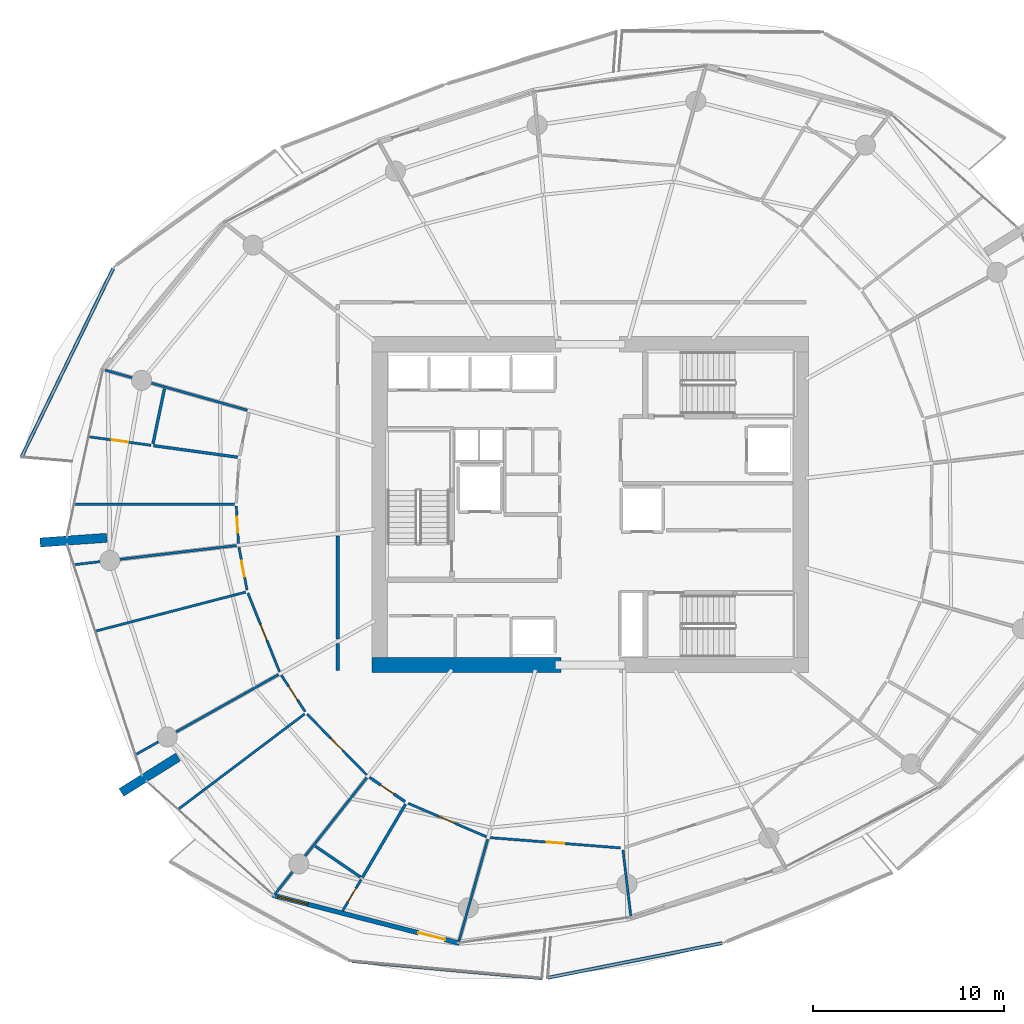
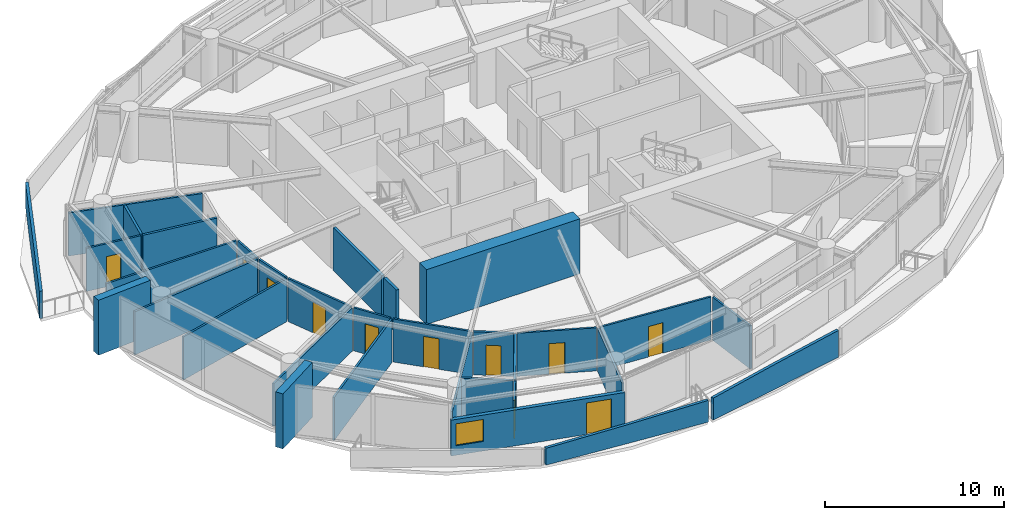
# One storey, part 11 of 20: 32 walls, 11 doors, 1 window, 12 openings.
"""IFC4 building model written with IfcOpenShell, lengths in metres."""

import ifcopenshell
import ifcopenshell.guid

model = None  # the IFC model being written
_history = None  # IfcOwnerHistory: only IFC2X3 demands one
_inside = {}  # id of a spatial element -> (the spatial element, [elements in it])
_under = {}  # id of a project, library or spatial element -> (it, [spatial elements below it])
_declared = {}  # id of a project -> (the project, [libraries it declares])
_typed = {}  # id of a type object -> (the type object, [elements of that type])
_made_of = {}  # id of a material, layer set ... -> (it, [elements and type objects made of it])


def new_model(schema):
    """Start an empty IFC model of exactly this schema.

    Asked for "IFC4X3", IfcOpenShell would pick the latest addendum, in which some entities
    have other attributes; the version numbers below select the first issue.
    IFC2X3 requires an IfcOwnerHistory on every rooted entity: one is made here for all.
    """
    global model, _history
    if schema == "IFC4X3":
        model = ifcopenshell.file(schema_version=(4, 3, 0, 0))
    else:
        model = ifcopenshell.file(schema=schema)
    _inside.clear()
    _under.clear()
    _declared.clear()
    _typed.clear()
    _made_of.clear()
    _history = None
    if model.schema == "IFC2X3":
        org = make("IfcOrganization", Name="unknown")
        user = make(
            "IfcPersonAndOrganization",
            ThePerson=make("IfcPerson", FamilyName="unknown"),
            TheOrganization=org,
        )
        app = make(
            "IfcApplication",
            ApplicationDeveloper=org,
            Version="unknown",
            ApplicationFullName="unknown",
            ApplicationIdentifier="unknown",
        )
        _history = make(
            "IfcOwnerHistory",
            OwningUser=user,
            OwningApplication=app,
            ChangeAction="ADDED",
            CreationDate=0,
        )
    return model


def make(cls, **values):
    """One entity of the class cls with the attributes given. An attribute that is None is left unset."""
    return model.create_entity(
        cls, **{name: value for name, value in values.items() if value is not None}
    )


def rooted(cls, **values):
    """An entity with a GlobalId (a new one), such as an element, a storey or a relation."""
    return make(cls, GlobalId=ifcopenshell.guid.new(), OwnerHistory=_history, **values)


def si_unit(unit_type, name, prefix=None):
    """IfcSIUnit, for example si_unit("LENGTHUNIT", "METRE", prefix="MILLI")."""
    return make("IfcSIUnit", UnitType=unit_type, Prefix=prefix, Name=name)


def assignment(units):
    """IfcUnitAssignment: the units of a project."""
    return None if units is None else make("IfcUnitAssignment", Units=units)


def point(xyz):
    """IfcCartesianPoint."""
    return None if xyz is None else make("IfcCartesianPoint", Coordinates=xyz)


def direction(xyz):
    """IfcDirection."""
    return None if xyz is None else make("IfcDirection", DirectionRatios=xyz)


def frame(location, z_axis=None, x_axis=None):
    """IfcAxis2Placement3D, a coordinate frame: its origin and axes. An axis left out is left unset."""
    return make(
        "IfcAxis2Placement3D",
        Location=point(location),
        Axis=direction(z_axis),
        RefDirection=direction(x_axis),
    )


def frame_2d(location, x_axis=None):
    """IfcAxis2Placement2D, a coordinate frame in the plane: its origin and x axis."""
    return make(
        "IfcAxis2Placement2D", Location=point(location), RefDirection=direction(x_axis)
    )


def origin():
    """The frame at (0, 0, 0) with its axes left unset."""
    return frame((0.0, 0.0, 0.0))


def place(relative_to, where):
    """IfcLocalPlacement: puts the frame where relative to a parent placement (None: the world)."""
    return make(
        "IfcLocalPlacement", PlacementRelTo=relative_to, RelativePlacement=where
    )


def context(
    kind, dimensions, precision=None, world=None, true_north=None, identifier=None
):
    """IfcGeometricRepresentationContext, for example the 3D "Model" context."""
    return make(
        "IfcGeometricRepresentationContext",
        ContextIdentifier=identifier,
        ContextType=kind,
        CoordinateSpaceDimension=dimensions,
        Precision=precision,
        WorldCoordinateSystem=world,
        TrueNorth=true_north,
    )


def subcontext(parent, identifier, kind, view, scale=None):
    """IfcGeometricRepresentationSubContext, for example "Body" below "Model"."""
    return make(
        "IfcGeometricRepresentationSubContext",
        ContextIdentifier=identifier,
        ContextType=kind,
        ParentContext=parent,
        TargetScale=scale,
        TargetView=view,
    )


def project(units=None, contexts=None):
    """IfcProject with its units and contexts."""
    return rooted(
        "IfcProject",
        Name="project",
        RepresentationContexts=contexts,
        UnitsInContext=assignment(units),
    )


def spatial(cls, under=None, at=None, **own):
    """A site, building, storey or space (cls), placed at a placement, below another one or the project."""
    s = rooted(cls, ObjectPlacement=at, **own)
    if under is not None:
        _under.setdefault(under.id(), (under, []))[1].append(s)
    return s


def polyline(points):
    """IfcPolyline through the points."""
    return make("IfcPolyline", Points=[point(p) for p in points])


def profile(cls, at=None, kind="AREA", **sizes):
    """A parametric profile (cls). Its sizes go by their IFC names, for example OverallWidth=200.0."""
    return make(cls, ProfileType=kind, Position=at, **sizes)


def rectangle(**sizes):
    """IfcRectangleProfileDef."""
    return profile("IfcRectangleProfileDef", **sizes)


def outline(outer, holes=None, kind="AREA"):
    """IfcArbitraryClosedProfileDef: a profile drawn as a closed curve; with holes, ...WithVoids."""
    if holes is None:
        return make("IfcArbitraryClosedProfileDef", ProfileType=kind, OuterCurve=outer)
    return make(
        "IfcArbitraryProfileDefWithVoids",
        ProfileType=kind,
        OuterCurve=outer,
        InnerCurves=holes,
    )


def extrude(swept, where, along, depth):
    """IfcExtrudedAreaSolid: the profile swept, set in the frame where, extruded along a direction by depth."""
    return make(
        "IfcExtrudedAreaSolid",
        SweptArea=swept,
        Position=where,
        ExtrudedDirection=direction(along),
        Depth=depth,
    )


def shape(context_of_items, identifier, shape_type, items):
    """IfcShapeRepresentation: the items that make up one representation, for example the "Body"."""
    return make(
        "IfcShapeRepresentation",
        ContextOfItems=context_of_items,
        RepresentationIdentifier=identifier,
        RepresentationType=shape_type,
        Items=items,
    )


def material(Name=None, Category=None):
    """IfcMaterial."""
    return make("IfcMaterial", Name=Name, Category=Category)


def layer(
    of_material, thickness, ventilated=None, Name=None, Category=None, Priority=None
):
    """IfcMaterialLayer: one layer of a wall or slab, of a material (None: an air gap)."""
    return make(
        "IfcMaterialLayer",
        Material=of_material,
        LayerThickness=thickness,
        IsVentilated=ventilated,
        Name=Name,
        Category=Category,
        Priority=Priority,
    )


def layer_set(layers, Name=None):
    """IfcMaterialLayerSet."""
    return make("IfcMaterialLayerSet", MaterialLayers=layers, LayerSetName=Name)


def made_of(thing, what):
    """Note that an element or type object is made of a material, layer set ...; save() writes the relation."""
    if what is not None:
        _made_of.setdefault(what.id(), (what, []))[1].append(thing)
    return thing


def type_object(cls, material=None, **own):
    """A type object (cls), such as IfcWallType, which elements share."""
    return made_of(rooted(cls, **own), material)


def element(
    cls,
    number,
    at=None,
    inside=None,
    cuts=None,
    type_object=None,
    material=None,
    context=None,
    identifier="Body",
    shape_type=None,
    held_by="IfcProductDefinitionShape",
    body=None,
    shapes=None,
    **own,
):
    """One element of the class cls, such as IfcWall. Its Tag is "e" and its number.

    at: its placement. inside: the storey or other place that contains it. cuts: it is an
    opening in that element (IfcRelVoidsElement). A single representation is given by context,
    identifier, shape_type and body (its items); several are given by shapes. held_by: the class
    of the entity that holds the representations. save() writes the other relations.
    """
    e = rooted(cls, Tag="e%d" % number, ObjectPlacement=at, **own)
    if body is not None:
        shapes = [shape(context, identifier, shape_type, body)]
    if shapes is not None:
        e.Representation = make(held_by, Representations=shapes)
    if inside is not None:
        _inside.setdefault(inside.id(), (inside, []))[1].append(e)
    if cuts is not None:
        rooted(
            "IfcRelVoidsElement", RelatingBuildingElement=cuts, RelatedOpeningElement=e
        )
    if type_object is not None:
        _typed.setdefault(type_object.id(), (type_object, []))[1].append(e)
    return made_of(e, material)


def fill(opening, filler):
    """IfcRelFillsElement: the door or window that sits in an opening."""
    return rooted(
        "IfcRelFillsElement",
        RelatingOpeningElement=opening,
        RelatedBuildingElement=filler,
    )


def aggregate(whole, parts):
    """IfcRelAggregates: a whole, such as a stair, and the parts it consists of."""
    return rooted("IfcRelAggregates", RelatingObject=whole, RelatedObjects=parts)


def save(model, path):
    """Write the relations noted so far, then the file.

    IfcRelAggregates (storeys below a building ...), IfcRelContainedInSpatialStructure (elements
    in a storey), IfcRelDefinesByType, IfcRelAssociatesMaterial and IfcRelDeclares: one each for
    every whole, place, type object, material and project.
    """
    for whole, parts in _under.values():
        aggregate(whole, parts)
    for where, things in _inside.values():
        rooted(
            "IfcRelContainedInSpatialStructure",
            RelatedElements=things,
            RelatingStructure=where,
        )
    for kind, things in _typed.values():
        rooted("IfcRelDefinesByType", RelatedObjects=things, RelatingType=kind)
    for what, things in _made_of.values():
        rooted("IfcRelAssociatesMaterial", RelatedObjects=things, RelatingMaterial=what)
    for by, libraries in _declared.values():
        rooted("IfcRelDeclares", RelatingContext=by, RelatedDefinitions=libraries)
    model.write(path)


model = new_model("IFC4")

# Units and contexts
model_context = context("Model", 3, precision=1e-05, world=origin(), true_north=direction((0.0, 1.0)))
body_context = subcontext(model_context, "Body", "Model", "MODEL_VIEW")
ifc_project = project(units=[si_unit("LENGTHUNIT", "METRE"), si_unit("AREAUNIT", "SQUARE_METRE"), si_unit("VOLUMEUNIT", "CUBIC_METRE"), si_unit("PLANEANGLEUNIT", "RADIAN"), si_unit("MASSUNIT", "GRAM", prefix="KILO")], contexts=[model_context])

# Site, building, storey
site_placement = place(None, origin())
site = spatial("IfcSite", under=ifc_project, at=site_placement, CompositionType="ELEMENT")
building_placement = place(site_placement, origin())
building = spatial("IfcBuilding", under=site, at=building_placement, Name="Kazma Halo Residences", CompositionType="ELEMENT")
storey_placement = place(building_placement, frame((0.0, 0.0, 135.300048828125)))
storey = spatial("IfcBuildingStorey", under=building, at=storey_placement, Name="L33", CompositionType="ELEMENT", Elevation=135.300048828125)

# Walls
ifc_material_1 = material(Name="White Concrete C50/60 Balustrade", Category="concrete")
ifc_layer_1 = layer(ifc_material_1, 0.179931640625)
ifc_layer_set_1 = layer_set([ifc_layer_1], Name="White Concrete C50/60 Balustrade")
wall_type_1 = type_object("IfcWallType", Name="WL-BAL-WAVE-180", PredefinedType="PARAPET", material=ifc_layer_set_1)
wall_1_placement = place(storey_placement, frame((23.443603515625, 54.37744140625, 0.0), z_axis=(0.0, 0.0, 1.0), x_axis=(-0.437208925246, -0.899359970026, 0.0)))
element("IfcWall", 1, at=wall_1_placement, inside=storey, type_object=wall_type_1, Name="L33 white wave balustrade wall NW.2", PredefinedType="PARAPET", context=body_context, shape_type="SweptSolid", body=[
    extrude(outline(polyline([(0.0, 0.0), (10.9921875, 0.0), (10.9921875, 1.85986328125), (5.49609375, 1.7978515625), (0.0, 1.6318359375), (0.0, 0.0)])), frame((0.0, 0.08984375, 0.0), z_axis=(0.0, -1.0, 0.0), x_axis=(1.0, 0.0, 0.0)), (0.0, 0.0, 1.0), 0.179931640625),
])
wall_2_placement = place(storey_placement, frame((35.9423828125, 18.090576171875, 0.0), z_axis=(0.0, 0.0, 1.0), x_axis=(0.995910609801, -0.09034410487, 0.0)))
element("IfcWall", 2, at=wall_2_placement, inside=storey, type_object=wall_type_1, Name="L33 white wave balustrade wall SW.2", PredefinedType="PARAPET", context=body_context, shape_type="SweptSolid", body=[
    extrude(outline(polyline([(0.0, 0.0), (9.9931640625, 0.0), (9.9931640625, 1.48291015625), (4.99658203125, 1.283935546875), (0.0, 1.14794921875), (0.0, 0.0)])), frame((0.0, 0.08984375, 0.0), z_axis=(0.0, -1.0, 0.0), x_axis=(1.0, 0.0, 0.0)), (0.0, 0.0, 1.0), 0.179931640625),
])
wall_3_placement = place(storey_placement, frame((46.201416015625, 17.21337890625, 0.0), z_axis=(0.0, 0.0, 1.0), x_axis=(0.980810829075, 0.194961836188, 0.0)))
element("IfcWall", 3, at=wall_3_placement, inside=storey, type_object=wall_type_1, Name="L33 white wave balustrade wall SSE.1", PredefinedType="PARAPET", context=body_context, shape_type="SweptSolid", body=[
    extrude(outline(polyline([(0.0, 0.0), (9.3154296875, 0.0), (9.3154296875, 1.83203125), (4.65771484375, 1.696044921875), (0.0, 1.4970703125), (0.0, 0.0)])), frame((0.0, 0.08984375, 0.0), z_axis=(0.0, -1.0, 0.0), x_axis=(1.0, 0.0, 0.0)), (0.0, 0.0, 1.0), 0.179931640625),
])
ifc_material_2 = material(Name="Pale Concrete C60/75", Category="concrete")
ifc_layer_2 = layer(ifc_material_2, 0.47998046875)
ifc_layer_set_2 = layer_set([ifc_layer_2], Name="Pale Concrete C60/75")
wall_type_2 = type_object("IfcWallType", Name="WL-BLADE-480", PredefinedType="SOLIDWALL", material=ifc_layer_set_2)
for number, where, z_axis, x_axis, name in (
    (4, (23.10302734375, 40.259033203125, 0.0), (0.0, 0.0, 1.0), (-0.997564163539, -0.069754853754, 0.0), "L33 pale concrete structural blade fin wall BW-02"),
    (5, (26.834716796875, 28.7744140625, 0.0), (0.0, 0.0, 1.0), (-0.848053161125, -0.529911158502, 0.0), "L33 pale concrete structural blade fin wall BW-03"),
):
    element("IfcWall", number, at=place(storey_placement, frame(where, z_axis=z_axis, x_axis=x_axis)), inside=storey, type_object=wall_type_2, Name=name, PredefinedType="SOLIDWALL", context=body_context, shape_type="SweptSolid", body=[
        extrude(rectangle(XDim=3.5, YDim=0.47998046875, at=frame_2d((1.75, 0.0))), origin(), (0.0, 0.0, 1.0), 3.75),
    ])
ifc_material_3 = material(Name="Concrete C80/95", Category="concrete")
ifc_layer_3 = layer(ifc_material_3, 0.800048828125)
ifc_layer_set_3 = layer_set([ifc_layer_3], Name="Concrete C80/95")
wall_type_3 = type_object("IfcWallType", Name="WL-CORE-800", PredefinedType="SHEAR", material=ifc_layer_set_3)
wall_4_placement = place(storey_placement, frame((37.0, 33.60009765625, 0.0), z_axis=(0.0, 0.0, 1.0), x_axis=(1.0, 0.0, 0.0)))
element("IfcWall", 6, at=wall_4_placement, inside=storey, type_object=wall_type_3, Name="L33 central core shear wall SW", PredefinedType="SHEAR", context=body_context, shape_type="SweptSolid", body=[
    extrude(rectangle(XDim=9.89990234375, YDim=0.800048828125, at=frame_2d((4.949951171875, 0.0))), origin(), (0.0, 0.0, 1.0), 3.75),
])
ifc_material_4 = material(Name="Acoustic Twin-Stud Gypsum")
ifc_layer_4 = layer(ifc_material_4, 0.179931640625)
ifc_layer_set_4 = layer_set([ifc_layer_4], Name="Acoustic Twin-Stud Gypsum")
wall_type_4 = type_object("IfcWallType", Name="WL-DEM-180", PredefinedType="PARTITIONING", material=ifc_layer_set_4)
wall_5_placement = place(storey_placement, frame((35.199951171875, 40.364990234375, 0.0), z_axis=(0.0, 0.0, 1.0), x_axis=(0.0, -1.0, 0.0)))
element("IfcWall", 7, at=wall_5_placement, inside=storey, type_object=wall_type_4, Name="L33 Apartment 1 inner wall 7", PredefinedType="PARTITIONING", context=body_context, shape_type="SweptSolid", body=[
    extrude(rectangle(XDim=5.413330078125, YDim=0.179931640625, at=frame_2d((2.70654296875, 0.0))), origin(), (0.0, 0.0, 1.0), 2.93994140625),
])
wall_6_placement = place(storey_placement, frame((35.199951171875, 34.711669921875, 0.0), z_axis=(0.0, 0.0, 1.0), x_axis=(0.0, -1.0, 0.0)))
element("IfcWall", 8, at=wall_6_placement, inside=storey, type_object=wall_type_4, Name="L33 Apartment 1 inner wall 8", PredefinedType="PARTITIONING", context=body_context, shape_type="SweptSolid", body=[
    extrude(rectangle(XDim=1.3916015625, YDim=0.179931640625, at=frame_2d((0.69580078125, 0.0))), origin(), (0.0, 0.0, 1.0), 2.93994140625),
])

# Wall, openings, door, window
ifc_material_5 = material(Name="Insulated Pale-Metal Composite Wall")
ifc_layer_5 = layer(ifc_material_5, 0.239990234375)
ifc_layer_set_5 = layer_set([ifc_layer_5], Name="Insulated Pale-Metal Composite Wall")
wall_type_5 = type_object("IfcWallType", Name="WL-EXT-HOST-240", PredefinedType="SOLIDWALL", material=ifc_layer_set_5)
wall_7_placement = place(storey_placement, frame((31.807861328125, 21.5341796875, 0.0), z_axis=(0.0, 0.0, 1.0), x_axis=(0.968379685126, -0.249481032214, 0.0)))
wall_7 = element("IfcWall", 9, at=wall_7_placement, inside=storey, type_object=wall_type_5, Name="L33 exterior terrace-access wall B10", PredefinedType="SOLIDWALL", context=body_context, shape_type="SweptSolid", body=[
    extrude(rectangle(XDim=10.08154296875, YDim=0.239990234375, at=frame_2d((5.040771484375, 0.0))), origin(), (0.0, 0.0, 1.0), 2.449951171875),
])
opening_1_placement = place(wall_7_placement, frame((7.861572265625, 0.0, 0.0)))
opening_1 = element("IfcOpeningElement", 10, at=opening_1_placement, cuts=wall_7, Name="Opening DTR-1600", PredefinedType="OPENING", context=body_context, shape_type="SweptSolid", body=[
    extrude(rectangle(XDim=1.449951171875, YDim=2.14990234375, at=frame_2d((0.72509765625, 1.074951171875))), frame((0.0, 0.1298828125, 0.0), z_axis=(0.0, -1.0, 0.0), x_axis=(1.0, 0.0, 0.0)), (0.0, 0.0, 1.0), 0.260009765625),
])
opening_2_placement = place(wall_7_placement, frame((0.280029296875, 0.0, 0.64990234375)))
opening_2 = element("IfcOpeningElement", 11, at=opening_2_placement, cuts=wall_7, Name="Opening W-1800", PredefinedType="OPENING", context=body_context, shape_type="SweptSolid", body=[
    extrude(rectangle(XDim=1.60009765625, YDim=1.5, at=frame_2d((0.800048828125, 0.75))), frame((0.0, 0.1298828125, 0.0), z_axis=(0.0, -1.0, 0.0), x_axis=(1.0, 0.0, 0.0)), (0.0, 0.0, 1.0), 0.260009765625),
])
ifc_material_6 = material(Name="Aluminium AW-6063 T6 Double-Glazed Terrace Door", Category="aluminium")
door_type_1 = type_object("IfcDoorType", Name="DR-EXT-TERR-1600", OperationType="NOTDEFINED", PredefinedType="DOOR", material=ifc_material_6)
door_1_placement = place(opening_1_placement, origin())
door_1 = element("IfcDoor", 12, at=door_1_placement, inside=storey, type_object=door_type_1, Name="L33 B10 balcony terrace door", OperationType="DOUBLE_DOOR_SLIDING", OverallHeight=2.14990234375, OverallWidth=1.449951171875, PredefinedType="DOOR", context=body_context, shape_type="SweptSolid", body=[
    extrude(rectangle(XDim=1.449951171875, YDim=2.14990234375, at=frame_2d((0.72509765625, 1.074951171875))), frame((0.0, 0.02490234375, 0.0), z_axis=(0.0, -1.0, 0.0), x_axis=(1.0, 0.0, 0.0)), (0.0, 0.0, 1.0), 0.050048828125),
])
fill(opening_1, door_1)
ifc_material_7 = material(Name="Clear Triple-Silver Low-E Glass in Aluminium AW-6063 T6 Frame", Category="aluminium")
window_type = type_object("IfcWindowType", Name="WIN-RES-1800", PartitioningType="DOUBLE_PANEL_VERTICAL", PredefinedType="WINDOW", material=ifc_material_7)
window_placement = place(opening_2_placement, origin())
window = element("IfcWindow", 13, at=window_placement, inside=storey, type_object=window_type, Name="L33 B10 apartment window", OverallHeight=1.5, OverallWidth=1.60009765625, PartitioningType="SINGLE_PANEL", PredefinedType="WINDOW", context=body_context, shape_type="SweptSolid", body=[
    extrude(rectangle(XDim=1.60009765625, YDim=1.5, at=frame_2d((0.800048828125, 0.75))), frame((0.0, 0.030029296875, 0.0), z_axis=(0.0, -1.0, 0.0), x_axis=(1.0, 0.0, 0.0)), (0.0, 0.0, 1.0), 0.06005859375),
])
fill(opening_2, window)

# Wall
ifc_material_8 = material(Name="Gypsum Plasterboard Partition")
ifc_layer_6 = layer(ifc_material_8, 0.125)
ifc_layer_set_6 = layer_set([ifc_layer_6], Name="Gypsum Plasterboard Partition")
wall_type_6 = type_object("IfcWallType", Name="WL-PART-125", PredefinedType="PARTITIONING", material=ifc_layer_set_6)
wall_8_placement = place(storey_placement, frame((30.465087890625, 46.9453125, 0.0), z_axis=(0.0, 0.0, 1.0), x_axis=(-0.962456021196, 0.271437667363, 0.0)))
element("IfcWall", 14, at=wall_8_placement, inside=storey, type_object=wall_type_6, Name="L33 Apartment 1 radial partition 6", PredefinedType="PARTITIONING", context=body_context, shape_type="SweptSolid", body=[
    extrude(rectangle(XDim=7.732421875, YDim=0.125, at=frame_2d((3.8662109375, 0.0))), origin(), (0.0, 0.0, 1.0), 2.93994140625),
])

# Wall, opening, door
wall_9_placement = place(storey_placement, frame((25.41357421875, 45.10595703125, 0.0), z_axis=(0.0, 0.0, 1.0), x_axis=(-0.990676070786, 0.136238477576, 0.0)))
wall_9 = element("IfcWall", 15, at=wall_9_placement, inside=storey, type_object=wall_type_6, Name="L33 Apartment 1 Utility Laundry Room partition wall", PredefinedType="PARTITIONING", context=body_context, shape_type="SweptSolid", body=[
    extrude(rectangle(XDim=3.272216796875, YDim=0.125, at=frame_2d((1.63623046875, 0.0))), origin(), (0.0, 0.0, 1.0), 2.93994140625),
])
opening_3_placement = place(wall_9_placement, frame((1.211181640625, 0.0, 0.0)))
opening_3 = element("IfcOpeningElement", 16, at=opening_3_placement, cuts=wall_9, Name="Opening DB-900", PredefinedType="OPENING", context=body_context, shape_type="SweptSolid", body=[
    extrude(rectangle(XDim=0.85009765625, YDim=2.06005859375, at=frame_2d((0.425048828125, 1.030029296875))), frame((0.0, 0.072509765625, 0.0), z_axis=(0.0, -1.0, 0.0), x_axis=(1.0, 0.0, 0.0)), (0.0, 0.0, 1.0), 0.14501953125),
])
ifc_material_9 = material(Name="Moisture-Sealed Timber Leaf", Category="wood")
door_type_2 = type_object("IfcDoorType", Name="DR-BTH-900", OperationType="NOTDEFINED", PredefinedType="DOOR", material=ifc_material_9)
door_2_placement = place(opening_3_placement, origin())
door_2 = element("IfcDoor", 17, at=door_2_placement, inside=storey, type_object=door_type_2, Name="L33 Apartment 1 Utility Laundry Room door", OperationType="SINGLE_SWING_LEFT", OverallHeight=2.06005859375, OverallWidth=0.85009765625, PredefinedType="DOOR", context=body_context, shape_type="SweptSolid", body=[
    extrude(rectangle(XDim=0.85009765625, YDim=2.06005859375, at=frame_2d((0.425048828125, 1.030029296875))), frame((0.0, 0.02490234375, 0.0), z_axis=(0.0, -1.0, 0.0), x_axis=(1.0, 0.0, 0.0)), (0.0, 0.0, 1.0), 0.050048828125),
])
fill(opening_3, door_2)

# Wall
wall_10_placement = place(storey_placement, frame((29.791015625, 42.009521484375, 0.0), z_axis=(0.0, 0.0, 1.0), x_axis=(-0.999999862447, 0.000524506018, 0.0)))
element("IfcWall", 18, at=wall_10_placement, inside=storey, type_object=wall_type_6, Name="L33 Apartment 1 suite divider 6", PredefinedType="PARTITIONING", context=body_context, shape_type="SweptSolid", body=[
    extrude(rectangle(XDim=8.37841796875, YDim=0.125, at=frame_2d((4.189208984375, 0.0))), origin(), (0.0, 0.0, 1.0), 2.93994140625),
])

# Wall, opening, door
wall_11_placement = place(storey_placement, frame((29.8857421875, 41.929443359375, 0.0), z_axis=(0.0, 0.0, 1.0), x_axis=(0.058590761666, -0.998282085709, 0.0)))
wall_11 = element("IfcWall", 19, at=wall_11_placement, inside=storey, type_object=wall_type_6, Name="L33 Apartment 1 Primary Bedroom hall wall", PredefinedType="PARTITIONING", context=body_context, shape_type="SweptSolid", body=[
    extrude(rectangle(XDim=1.962646484375, YDim=0.125, at=frame_2d((0.9814453125, 0.0))), origin(), (0.0, 0.0, 1.0), 2.93994140625),
])
opening_4_placement = place(wall_11_placement, frame((0.556396484375, 0.0, 0.0)))
opening_4 = element("IfcOpeningElement", 20, at=opening_4_placement, cuts=wall_11, Name="Opening DB-900", PredefinedType="OPENING", context=body_context, shape_type="SweptSolid", body=[
    extrude(rectangle(XDim=0.85009765625, YDim=2.06005859375, at=frame_2d((0.425048828125, 1.030029296875))), frame((0.0, 0.072509765625, 0.0), z_axis=(0.0, -1.0, 0.0), x_axis=(1.0, 0.0, 0.0)), (0.0, 0.0, 1.0), 0.14501953125),
])
door_3_placement = place(opening_4_placement, origin())
door_3 = element("IfcDoor", 21, at=door_3_placement, inside=storey, type_object=door_type_2, Name="L33 Apartment 1 Primary Bedroom door", OperationType="SINGLE_SWING_LEFT", OverallHeight=2.06005859375, OverallWidth=0.85009765625, PredefinedType="DOOR", context=body_context, shape_type="SweptSolid", body=[
    extrude(rectangle(XDim=0.85009765625, YDim=2.06005859375, at=frame_2d((0.425048828125, 1.030029296875))), frame((0.0, 0.02490234375, 0.0), z_axis=(0.0, -1.0, 0.0), x_axis=(1.0, 0.0, 0.0)), (0.0, 0.0, 1.0), 0.050048828125),
])
fill(opening_4, door_3)

# Walls
wall_12_placement = place(storey_placement, frame((29.9072265625, 39.8583984375, 0.0), z_axis=(0.0, 0.0, 1.0), x_axis=(-0.993070228419, -0.117522429465, 0.0)))
element("IfcWall", 22, at=wall_12_placement, inside=storey, type_object=wall_type_6, Name="L33 Apartment 1 radial partition 7", PredefinedType="PARTITIONING", context=body_context, shape_type="SweptSolid", body=[
    extrude(rectangle(XDim=8.567138671875, YDim=0.125, at=frame_2d((4.28369140625, 0.0))), origin(), (0.0, 0.0, 1.0), 2.93994140625),
])
wall_13_placement = place(storey_placement, frame((30.37744140625, 37.416259765625, 0.0), z_axis=(0.0, 0.0, 1.0), x_axis=(-0.967798305948, -0.251726913549, 0.0)))
element("IfcWall", 23, at=wall_13_placement, inside=storey, type_object=wall_type_6, Name="L33 Apartment 1 mid-bay wall 7", PredefinedType="PARTITIONING", context=body_context, shape_type="SweptSolid", body=[
    extrude(rectangle(XDim=8.109130859375, YDim=0.125, at=frame_2d((4.0546875, 0.0))), origin(), (0.0, 0.0, 1.0), 2.93994140625),
])

# Wall, opening, door
wall_14_placement = place(storey_placement, frame((30.025146484375, 39.77197265625, 0.0), z_axis=(0.0, 0.0, 1.0), x_axis=(0.185072404157, -0.98272488786, 0.0)))
wall_14 = element("IfcWall", 24, at=wall_14_placement, inside=storey, type_object=wall_type_6, Name="L33 Apartment 1 Primary Wine Pantry Store hall wall", PredefinedType="PARTITIONING", context=body_context, shape_type="SweptSolid", body=[
    extrude(rectangle(XDim=2.2939453125, YDim=0.125, at=frame_2d((1.14697265625, 0.0))), origin(), (0.0, 0.0, 1.0), 2.93994140625),
])
opening_5_placement = place(wall_14_placement, frame((0.72216796875, 0.0, 0.0)))
opening_5 = element("IfcOpeningElement", 25, at=opening_5_placement, cuts=wall_14, Name="Opening DB-900", PredefinedType="OPENING", context=body_context, shape_type="SweptSolid", body=[
    extrude(rectangle(XDim=0.85009765625, YDim=2.06005859375, at=frame_2d((0.425048828125, 1.030029296875))), frame((0.0, 0.072509765625, 0.0), z_axis=(0.0, -1.0, 0.0), x_axis=(1.0, 0.0, 0.0)), (0.0, 0.0, 1.0), 0.14501953125),
])
door_4_placement = place(opening_5_placement, origin())
door_4 = element("IfcDoor", 26, at=door_4_placement, inside=storey, type_object=door_type_2, Name="L33 Apartment 1 Primary Wine Pantry Store door", OperationType="SINGLE_SWING_LEFT", OverallHeight=2.06005859375, OverallWidth=0.85009765625, PredefinedType="DOOR", context=body_context, shape_type="SweptSolid", body=[
    extrude(rectangle(XDim=0.85009765625, YDim=2.06005859375, at=frame_2d((0.425048828125, 1.030029296875))), frame((0.0, 0.02490234375, 0.0), z_axis=(0.0, -1.0, 0.0), x_axis=(1.0, 0.0, 0.0)), (0.0, 0.0, 1.0), 0.050048828125),
])
fill(opening_5, door_4)

wall_15_placement = place(storey_placement, frame((30.494384765625, 37.36474609375, 0.0), z_axis=(0.0, 0.0, 1.0), x_axis=(0.373198093248, -0.927751681861, 0.0)))
wall_15 = element("IfcWall", 27, at=wall_15_placement, inside=storey, type_object=wall_type_6, Name="L33 Apartment 1 Secondary Formal Dining Room hall wall", PredefinedType="PARTITIONING", context=body_context, shape_type="SweptSolid", body=[
    extrude(rectangle(XDim=4.446533203125, YDim=0.125, at=frame_2d((2.22314453125, 0.0))), origin(), (0.0, 0.0, 1.0), 2.93994140625),
])
opening_6_placement = place(wall_15_placement, frame((1.773193359375, 0.0, 0.0)))
opening_6 = element("IfcOpeningElement", 28, at=opening_6_placement, cuts=wall_15, Name="Opening DI-950", PredefinedType="OPENING", context=body_context, shape_type="SweptSolid", body=[
    extrude(rectangle(XDim=0.89990234375, YDim=2.080078125, at=frame_2d((0.449951171875, 1.0400390625))), frame((0.0, 0.072509765625, 0.0), z_axis=(0.0, -1.0, 0.0), x_axis=(1.0, 0.0, 0.0)), (0.0, 0.0, 1.0), 0.14501953125),
])
ifc_material_10 = material(Name="Timber Veneer Flush Leaf", Category="wood")
door_type_3 = type_object("IfcDoorType", Name="DR-INT-950", OperationType="NOTDEFINED", PredefinedType="DOOR", material=ifc_material_10)
door_5_placement = place(opening_6_placement, origin())
door_5 = element("IfcDoor", 29, at=door_5_placement, inside=storey, type_object=door_type_3, Name="L33 Apartment 1 Secondary Formal Dining Room door", OperationType="SINGLE_SWING_RIGHT", OverallHeight=2.080078125, OverallWidth=0.89990234375, PredefinedType="DOOR", context=body_context, shape_type="SweptSolid", body=[
    extrude(rectangle(XDim=0.89990234375, YDim=2.080078125, at=frame_2d((0.449951171875, 1.0400390625))), frame((0.0, 0.02490234375, 0.0), z_axis=(0.0, -1.0, 0.0), x_axis=(1.0, 0.0, 0.0)), (0.0, 0.0, 1.0), 0.050048828125),
])
fill(opening_6, door_5)

# Walls
wall_16_placement = place(storey_placement, frame((32.10400390625, 33.097900390625, 0.0), z_axis=(0.0, 0.0, 1.0), x_axis=(-0.872488035617, -0.488635475283, 0.0)))
element("IfcWall", 30, at=wall_16_placement, inside=storey, type_object=wall_type_6, Name="L33 Apartment 1 radial partition 8", PredefinedType="PARTITIONING", context=body_context, shape_type="SweptSolid", body=[
    extrude(rectangle(XDim=8.5673828125, YDim=0.125, at=frame_2d((4.28369140625, 0.0))), origin(), (0.0, 0.0, 1.0), 2.93994140625),
])
wall_17_placement = place(storey_placement, frame((33.46435546875, 31.03271484375, 0.0), z_axis=(0.0, 0.0, 1.0), x_axis=(-0.798260006805, -0.602313009602, 0.0)))
element("IfcWall", 31, at=wall_17_placement, inside=storey, type_object=wall_type_6, Name="L33 Apartment 1 mid-bay wall 8", PredefinedType="PARTITIONING", context=body_context, shape_type="SweptSolid", body=[
    extrude(rectangle(XDim=8.283203125, YDim=0.125, at=frame_2d((4.1416015625, 0.0))), origin(), (0.0, 0.0, 1.0), 2.93994140625),
])

# Wall, opening, door
wall_18_placement = place(storey_placement, frame((32.245849609375, 33.06298828125, 0.0), z_axis=(0.0, 0.0, 1.0), x_axis=(0.54671843355, -0.837316519852, 0.0)))
wall_18 = element("IfcWall", 32, at=wall_18_placement, inside=storey, type_object=wall_type_6, Name="L33 Apartment 1 East Dressing Wardrobe hall wall", PredefinedType="PARTITIONING", context=body_context, shape_type="SweptSolid", body=[
    extrude(rectangle(XDim=2.280029296875, YDim=0.125, at=frame_2d((1.14013671875, 0.0))), origin(), (0.0, 0.0, 1.0), 2.93994140625),
])
opening_7_placement = place(wall_18_placement, frame((0.715087890625, 0.0, 0.0)))
opening_7 = element("IfcOpeningElement", 33, at=opening_7_placement, cuts=wall_18, Name="Opening DB-900", PredefinedType="OPENING", context=body_context, shape_type="SweptSolid", body=[
    extrude(rectangle(XDim=0.85009765625, YDim=2.06005859375, at=frame_2d((0.425048828125, 1.030029296875))), frame((0.0, 0.072509765625, 0.0), z_axis=(0.0, -1.0, 0.0), x_axis=(1.0, 0.0, 0.0)), (0.0, 0.0, 1.0), 0.14501953125),
])
door_6_placement = place(opening_7_placement, origin())
door_6 = element("IfcDoor", 34, at=door_6_placement, inside=storey, type_object=door_type_2, Name="L33 Apartment 1 East Dressing Wardrobe door", OperationType="SINGLE_SWING_RIGHT", OverallHeight=2.06005859375, OverallWidth=0.85009765625, PredefinedType="DOOR", context=body_context, shape_type="SweptSolid", body=[
    extrude(rectangle(XDim=0.85009765625, YDim=2.06005859375, at=frame_2d((0.425048828125, 1.030029296875))), frame((0.0, 0.02490234375, 0.0), z_axis=(0.0, -1.0, 0.0), x_axis=(1.0, 0.0, 0.0)), (0.0, 0.0, 1.0), 0.050048828125),
])
fill(opening_7, door_6)

wall_19_placement = place(storey_placement, frame((33.59228515625, 31.02978515625, 0.0), z_axis=(0.0, 0.0, 1.0), x_axis=(0.699540960256, -0.714592502707, 0.0)))
wall_19 = element("IfcWall", 35, at=wall_19_placement, inside=storey, type_object=wall_type_6, Name="L33 Apartment 1 West Master Bedroom hall wall", PredefinedType="PARTITIONING", context=body_context, shape_type="SweptSolid", body=[
    extrude(rectangle(XDim=4.460693359375, YDim=0.125, at=frame_2d((2.23046875, 0.0))), origin(), (0.0, 0.0, 1.0), 2.93994140625),
])
opening_8_placement = place(wall_19_placement, frame((1.7802734375, 0.0, 0.0)))
opening_8 = element("IfcOpeningElement", 36, at=opening_8_placement, cuts=wall_19, Name="Opening DI-950", PredefinedType="OPENING", context=body_context, shape_type="SweptSolid", body=[
    extrude(rectangle(XDim=0.89990234375, YDim=2.080078125, at=frame_2d((0.449951171875, 1.0400390625))), frame((0.0, 0.072509765625, 0.0), z_axis=(0.0, -1.0, 0.0), x_axis=(1.0, 0.0, 0.0)), (0.0, 0.0, 1.0), 0.14501953125),
])
door_7_placement = place(opening_8_placement, origin())
door_7 = element("IfcDoor", 37, at=door_7_placement, inside=storey, type_object=door_type_3, Name="L33 Apartment 1 West Master Bedroom door", OperationType="SINGLE_SWING_LEFT", OverallHeight=2.080078125, OverallWidth=0.89990234375, PredefinedType="DOOR", context=body_context, shape_type="SweptSolid", body=[
    extrude(rectangle(XDim=0.89990234375, YDim=2.080078125, at=frame_2d((0.449951171875, 1.0400390625))), frame((0.0, 0.02490234375, 0.0), z_axis=(0.0, -1.0, 0.0), x_axis=(1.0, 0.0, 0.0)), (0.0, 0.0, 1.0), 0.050048828125),
])
fill(opening_8, door_7)

# Wall
wall_20_placement = place(storey_placement, frame((36.720703125, 27.6923828125, 0.0), z_axis=(0.0, 0.0, 1.0), x_axis=(-0.619091325953, -0.785318998962, 0.0)))
element("IfcWall", 38, at=wall_20_placement, inside=storey, type_object=wall_type_6, Name="L33 Apartment 1 radial partition 9", PredefinedType="PARTITIONING", context=body_context, shape_type="SweptSolid", body=[
    extrude(rectangle(XDim=7.832763671875, YDim=0.125, at=frame_2d((3.91650390625, 0.0))), origin(), (0.0, 0.0, 1.0), 2.93994140625),
])

# Wall, opening, door
wall_21_placement = place(storey_placement, frame((36.42529296875, 22.35791015625, 0.0), z_axis=(0.0, 0.0, 1.0), x_axis=(-0.507653216709, -0.861561496102, 0.0)))
wall_21 = element("IfcWall", 39, at=wall_21_placement, inside=storey, type_object=wall_type_6, Name="L33 Apartment 1 South Walk-In Wardrobe partition wall", PredefinedType="PARTITIONING", context=body_context, shape_type="SweptSolid", body=[
    extrude(rectangle(XDim=1.904052734375, YDim=0.125, at=frame_2d((0.9521484375, 0.0))), origin(), (0.0, 0.0, 1.0), 2.93994140625),
])
opening_9_placement = place(wall_21_placement, frame((0.52685546875, 0.0, 0.0)))
opening_9 = element("IfcOpeningElement", 40, at=opening_9_placement, cuts=wall_21, Name="Opening DB-900", PredefinedType="OPENING", context=body_context, shape_type="SweptSolid", body=[
    extrude(rectangle(XDim=0.85009765625, YDim=2.06005859375, at=frame_2d((0.425048828125, 1.030029296875))), frame((0.0, 0.072509765625, 0.0), z_axis=(0.0, -1.0, 0.0), x_axis=(1.0, 0.0, 0.0)), (0.0, 0.0, 1.0), 0.14501953125),
])
door_8_placement = place(opening_9_placement, origin())
door_8 = element("IfcDoor", 41, at=door_8_placement, inside=storey, type_object=door_type_2, Name="L33 Apartment 1 South Walk-In Wardrobe door", OperationType="SINGLE_SWING_RIGHT", OverallHeight=2.06005859375, OverallWidth=0.85009765625, PredefinedType="DOOR", context=body_context, shape_type="SweptSolid", body=[
    extrude(rectangle(XDim=0.85009765625, YDim=2.06005859375, at=frame_2d((0.425048828125, 1.030029296875))), frame((0.0, 0.02490234375, 0.0), z_axis=(0.0, -1.0, 0.0), x_axis=(1.0, 0.0, 0.0)), (0.0, 0.0, 1.0), 0.050048828125),
])
fill(opening_9, door_8)

wall_22_placement = place(storey_placement, frame((38.884033203125, 26.354248046875, 0.0), z_axis=(0.0, 0.0, 1.0), x_axis=(0.919625189591, -0.392797034955, 0.0)))
wall_22 = element("IfcWall", 42, at=wall_22_placement, inside=storey, type_object=wall_type_6, Name="L33 Apartment 1 Inner Master Bedroom hall wall", PredefinedType="PARTITIONING", context=body_context, shape_type="SweptSolid", body=[
    extrude(rectangle(XDim=4.464599609375, YDim=0.125, at=frame_2d((2.232421875, 0.0))), origin(), (0.0, 0.0, 1.0), 2.93994140625),
])
opening_10_placement = place(wall_22_placement, frame((1.7822265625, 0.0, 0.0)))
opening_10 = element("IfcOpeningElement", 43, at=opening_10_placement, cuts=wall_22, Name="Opening DI-950", PredefinedType="OPENING", context=body_context, shape_type="SweptSolid", body=[
    extrude(rectangle(XDim=0.89990234375, YDim=2.080078125, at=frame_2d((0.449951171875, 1.0400390625))), frame((0.0, 0.072509765625, 0.0), z_axis=(0.0, -1.0, 0.0), x_axis=(1.0, 0.0, 0.0)), (0.0, 0.0, 1.0), 0.14501953125),
])
door_9_placement = place(opening_10_placement, origin())
door_9 = element("IfcDoor", 44, at=door_9_placement, inside=storey, type_object=door_type_3, Name="L33 Apartment 1 Inner Master Bedroom door", OperationType="SINGLE_SWING_LEFT", OverallHeight=2.080078125, OverallWidth=0.89990234375, PredefinedType="DOOR", context=body_context, shape_type="SweptSolid", body=[
    extrude(rectangle(XDim=0.89990234375, YDim=2.080078125, at=frame_2d((0.449951171875, 1.0400390625))), frame((0.0, 0.02490234375, 0.0), z_axis=(0.0, -1.0, 0.0), x_axis=(1.0, 0.0, 0.0)), (0.0, 0.0, 1.0), 0.050048828125),
])
fill(opening_10, door_9)

# Wall
wall_23_placement = place(storey_placement, frame((43.0546875, 24.465087890625, 0.0), z_axis=(0.0, 0.0, 1.0), x_axis=(-0.271448610669, -0.962452934831, 0.0)))
element("IfcWall", 45, at=wall_23_placement, inside=storey, type_object=wall_type_6, Name="L33 Apartment 1 radial partition 10", PredefinedType="PARTITIONING", context=body_context, shape_type="SweptSolid", body=[
    extrude(rectangle(XDim=5.5205078125, YDim=0.125, at=frame_2d((2.76025390625, 0.0))), origin(), (0.0, 0.0, 1.0), 2.93994140625),
])

# Wall, opening, door
wall_24_placement = place(storey_placement, frame((43.19140625, 24.552734375, 0.0), z_axis=(0.0, 0.0, 1.0), x_axis=(0.996915344956, -0.078484361444, 0.0)))
wall_24 = element("IfcWall", 46, at=wall_24_placement, inside=storey, type_object=wall_type_6, Name="L33 Apartment 1 Outer Master Bedroom gallery wall", PredefinedType="PARTITIONING", context=body_context, shape_type="SweptSolid", body=[
    extrude(rectangle(XDim=6.849853515625, YDim=0.125, at=frame_2d((3.4248046875, 0.0))), origin(), (0.0, 0.0, 1.0), 2.93994140625),
])
opening_11_placement = place(wall_24_placement, frame((2.974853515625, 0.0, 0.0)))
opening_11 = element("IfcOpeningElement", 47, at=opening_11_placement, cuts=wall_24, Name="Opening DI-950", PredefinedType="OPENING", context=body_context, shape_type="SweptSolid", body=[
    extrude(rectangle(XDim=0.89990234375, YDim=2.080078125, at=frame_2d((0.449951171875, 1.0400390625))), frame((0.0, 0.072509765625, 0.0), z_axis=(0.0, -1.0, 0.0), x_axis=(1.0, 0.0, 0.0)), (0.0, 0.0, 1.0), 0.14501953125),
])
door_10_placement = place(opening_11_placement, origin())
door_10 = element("IfcDoor", 48, at=door_10_placement, inside=storey, type_object=door_type_3, Name="L33 Apartment 1 Outer Master Bedroom door", OperationType="SINGLE_SWING_RIGHT", OverallHeight=2.080078125, OverallWidth=0.89990234375, PredefinedType="DOOR", context=body_context, shape_type="SweptSolid", body=[
    extrude(rectangle(XDim=0.89990234375, YDim=2.080078125, at=frame_2d((0.449951171875, 1.0400390625))), frame((0.0, 0.02490234375, 0.0), z_axis=(0.0, -1.0, 0.0), x_axis=(1.0, 0.0, 0.0)), (0.0, 0.0, 1.0), 0.050048828125),
])
fill(opening_11, door_10)

# Walls
wall_25_placement = place(storey_placement, frame((50.1416015625, 23.9072265625, 0.0), z_axis=(0.0, 0.0, 1.0), x_axis=(0.11750202185, -0.993072643295, 0.0)))
element("IfcWall", 49, at=wall_25_placement, inside=storey, type_object=wall_type_6, Name="L33 Apartment 1 radial partition 11", PredefinedType="PARTITIONING", context=body_context, shape_type="SweptSolid", body=[
    extrude(rectangle(XDim=3.515625, YDim=0.125, at=frame_2d((1.7578125, 0.0))), origin(), (0.0, 0.0, 1.0), 2.93994140625),
])
ifc_material_11 = material(Name="Moisture-Resistant Gypsum")
ifc_layer_7 = layer(ifc_material_11, 0.14990234375)
ifc_layer_set_7 = layer_set([ifc_layer_7], Name="Moisture-Resistant Gypsum")
wall_type_7 = type_object("IfcWallType", Name="WL-WET-150", PredefinedType="PARTITIONING", material=ifc_layer_set_7)
wall_26_placement = place(storey_placement, frame((26.123291015625, 48.066162109375, 0.0), z_axis=(0.0, 0.0, 1.0), x_axis=(-0.204410847423, -0.978885185022, 0.0)))
element("IfcWall", 50, at=wall_26_placement, inside=storey, type_object=wall_type_7, Name="L33 Apartment 1 Guest Bathroom back wall", PredefinedType="PARTITIONING", context=body_context, shape_type="SweptSolid", body=[
    extrude(rectangle(XDim=2.946533203125, YDim=0.14990234375, at=frame_2d((1.47314453125, 0.0))), origin(), (0.0, 0.0, 1.0), 2.93994140625),
])
wall_27_placement = place(storey_placement, frame((29.960693359375, 44.480712890625, 0.0), z_axis=(0.0, 0.0, 1.0), x_axis=(-0.99067496126, 0.136246545396, 0.0)))
element("IfcWall", 51, at=wall_27_placement, inside=storey, type_object=wall_type_7, Name="L33 Apartment 1 Guest Bathroom side wall", PredefinedType="PARTITIONING", context=body_context, shape_type="SweptSolid", body=[
    extrude(rectangle(XDim=4.4599609375, YDim=0.14990234375, at=frame_2d((2.22998046875, 0.0))), origin(), (0.0, 0.0, 1.0), 2.93994140625),
])

# Wall, opening, door
wall_28_placement = place(storey_placement, frame((36.864990234375, 27.71435546875, 0.0), z_axis=(0.0, 0.0, 1.0), x_axis=(0.825296643152, -0.564699434037, 0.0)))
wall_28 = element("IfcWall", 52, at=wall_28_placement, inside=storey, type_object=wall_type_7, Name="L33 Apartment 1 North En-Suite Bathroom hall wall", PredefinedType="PARTITIONING", context=body_context, shape_type="SweptSolid", body=[
    extrude(rectangle(XDim=2.255859375, YDim=0.14990234375, at=frame_2d((1.1279296875, 0.0))), origin(), (0.0, 0.0, 1.0), 2.93994140625),
])
opening_12_placement = place(wall_28_placement, frame((0.702880859375, 0.0, 0.0)))
opening_12 = element("IfcOpeningElement", 53, at=opening_12_placement, cuts=wall_28, Name="Opening DB-900", PredefinedType="OPENING", context=body_context, shape_type="SweptSolid", body=[
    extrude(rectangle(XDim=0.85009765625, YDim=2.06005859375, at=frame_2d((0.425048828125, 1.030029296875))), frame((0.0, 0.0849609375, 0.0), z_axis=(0.0, -1.0, 0.0), x_axis=(1.0, 0.0, 0.0)), (0.0, 0.0, 1.0), 0.169921875),
])
door_11_placement = place(opening_12_placement, origin())
door_11 = element("IfcDoor", 54, at=door_11_placement, inside=storey, type_object=door_type_2, Name="L33 Apartment 1 North En-Suite Bathroom door", OperationType="SINGLE_SWING_LEFT", OverallHeight=2.06005859375, OverallWidth=0.85009765625, PredefinedType="DOOR", context=body_context, shape_type="SweptSolid", body=[
    extrude(rectangle(XDim=0.85009765625, YDim=2.06005859375, at=frame_2d((0.425048828125, 1.030029296875))), frame((0.0, 0.02490234375, 0.0), z_axis=(0.0, -1.0, 0.0), x_axis=(1.0, 0.0, 0.0)), (0.0, 0.0, 1.0), 0.050048828125),
])
fill(opening_12, door_11)

# Walls
wall_29_placement = place(storey_placement, frame((34.0234375, 24.109619140625, 0.0), z_axis=(0.0, 0.0, 1.0), x_axis=(0.825328087742, -0.564653475667, 0.0)))
element("IfcWall", 55, at=wall_29_placement, inside=storey, type_object=wall_type_7, Name="L33 Apartment 1 North En-Suite Bathroom back wall", PredefinedType="PARTITIONING", context=body_context, shape_type="SweptSolid", body=[
    extrude(rectangle(XDim=2.875244140625, YDim=0.14990234375, at=frame_2d((1.4375, 0.0))), origin(), (0.0, 0.0, 1.0), 2.93994140625),
])
wall_30_placement = place(storey_placement, frame((38.755615234375, 26.312255859375, 0.0), z_axis=(0.0, 0.0, 1.0), x_axis=(-0.507701739566, -0.8615329034, 0.0)))
element("IfcWall", 56, at=wall_30_placement, inside=storey, type_object=wall_type_7, Name="L33 Apartment 1 North En-Suite Bathroom side wall", PredefinedType="PARTITIONING", context=body_context, shape_type="SweptSolid", body=[
    extrude(rectangle(XDim=4.460205078125, YDim=0.14990234375, at=frame_2d((2.22998046875, 0.0))), origin(), (0.0, 0.0, 1.0), 2.93994140625),
])

save(model, "model.ifc")
